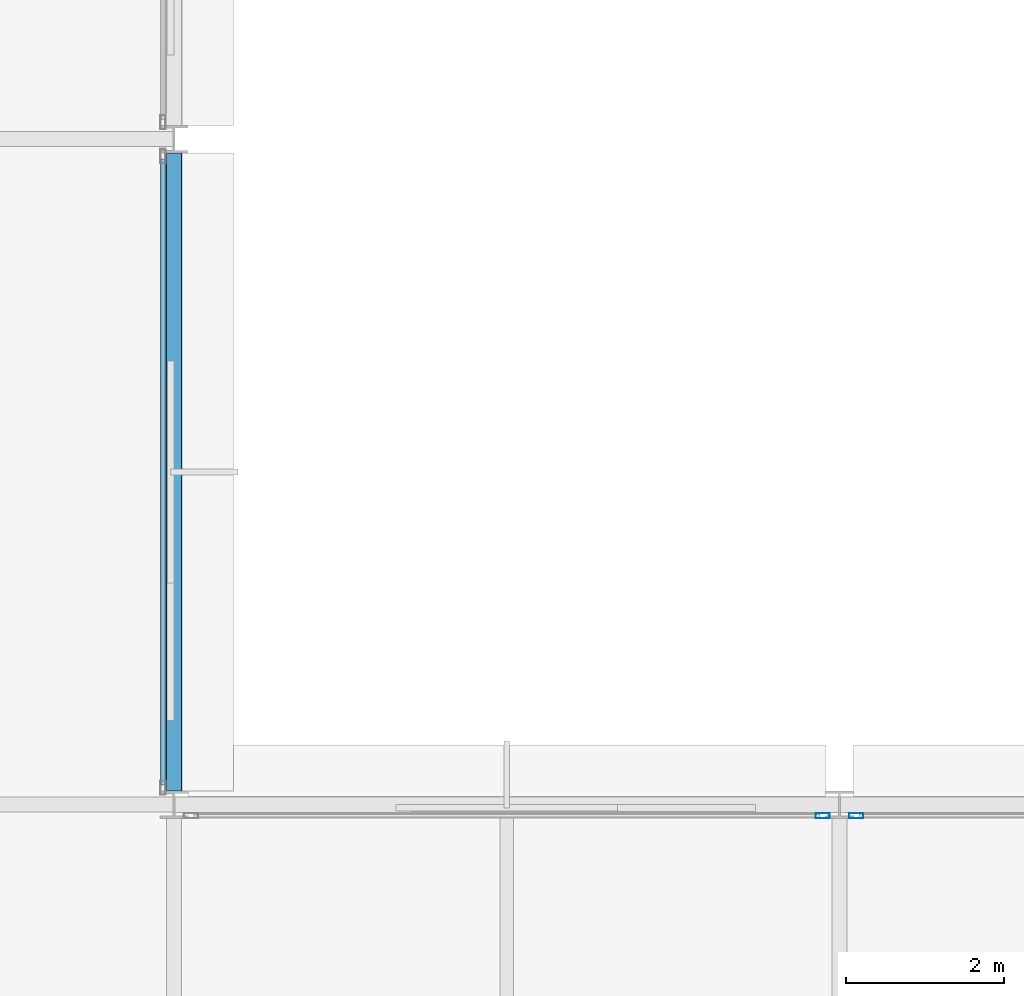
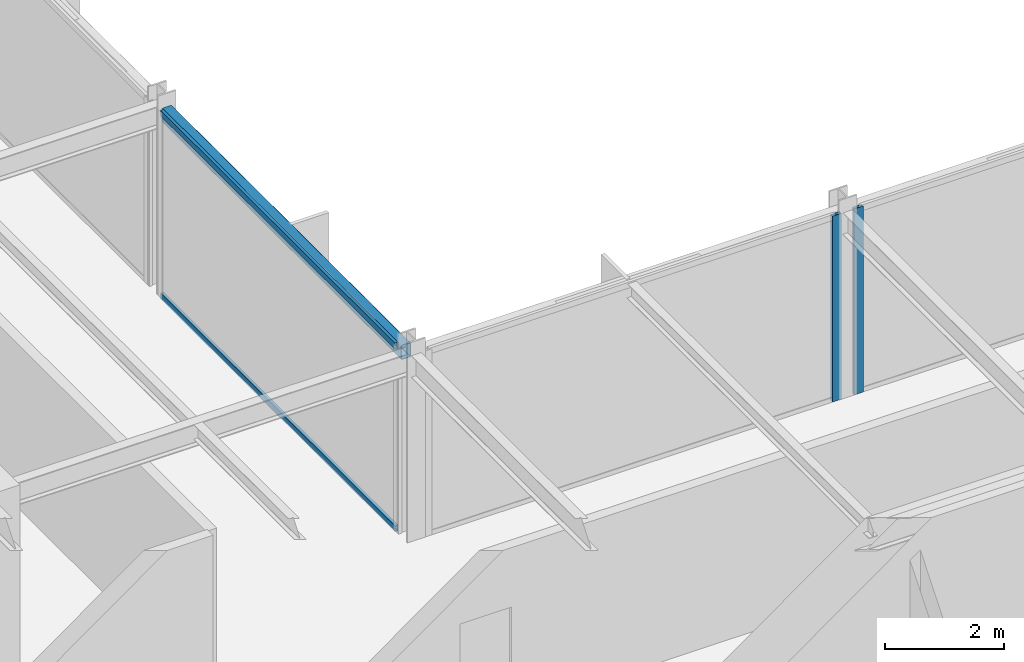
# One storey, part 15 of 30: 4 members, 1 beam, 3 elements without a shape of their own.
"""IFC4 building model written with IfcOpenShell, lengths in metres."""

from ifc_helpers import new_model, si_unit, direction, frame, origin, origin_2d, place, context, subcontext, project, spatial, hollow_rectangle, extrude, material, layer, layer_set, material_profile, profile_set, type_object, element, aggregate, save


model = new_model("IFC4")

# Units and contexts
model_context = context("Model", 3, precision=1e-05, world=origin(), true_north=direction((0.0, 1.0)))
body_context = subcontext(model_context, "Body", "Model", "MODEL_VIEW")
ifc_project = project(units=[si_unit("LENGTHUNIT", "METRE"), si_unit("AREAUNIT", "SQUARE_METRE"), si_unit("VOLUMEUNIT", "CUBIC_METRE"), si_unit("PLANEANGLEUNIT", "RADIAN"), si_unit("MASSUNIT", "GRAM", prefix="KILO")], contexts=[model_context])

# Site, building, storey
site_placement = place(None, origin())
site = spatial("IfcSite", under=ifc_project, at=site_placement, CompositionType="ELEMENT")
building_placement = place(site_placement, origin())
building = spatial("IfcBuilding", under=site, at=building_placement, Name="Nerrivon Quay Data Exchange", CompositionType="ELEMENT")
storey_placement = place(building_placement, frame((0.0, 0.0, 171.39990234375)))
storey = spatial("IfcBuildingStorey", under=building, at=storey_placement, Name="L40", CompositionType="ELEMENT", Elevation=171.39990234375)

# Beam
ifc_material_1 = material(Name="Steel Grade C350L0 (350 MPa)", Category="steel")
ifc_material_profile_1 = material_profile(ifc_material_1, hollow_rectangle(XDim=0.199951171875, YDim=0.300048828125, WallThickness=0.012451171875, InnerFilletRadius=0.018798828125, OuterFilletRadius=0.03125, at=origin_2d()), Name="300x200x12.5RHS")
ifc_profile_set_1 = profile_set([ifc_material_profile_1], Name="Steel Grade C350L0 (350 MPa)")
beam_type = type_object("IfcBeamType", Name="BM-SP3-300x200RHS", PredefinedType="SPANDREL", material=ifc_profile_set_1)
beam_placement = place(storey_placement, frame((25.199951171875, 25.375, 3.675048828125), z_axis=(0.0, 1.0, 0.0), x_axis=(-1.0, 0.0, 0.0)))
element("IfcBeam", 1, at=beam_placement, inside=storey, type_object=beam_type, Name="L40 NS Girder X=25.2 (25.2..33.6)", PredefinedType="SPANDREL", context=body_context, shape_type="SweptSolid", body=[
    extrude(hollow_rectangle(XDim=0.199951171875, YDim=0.300048828125, WallThickness=0.012451171875, InnerFilletRadius=0.018798828125, OuterFilletRadius=0.03125, at=origin_2d()), origin(), (0.0, 0.0, 1.0), 8.050048828125),
])

# Curtain wall, member
ifc_material_2 = material(Name="Anodised aluminium 6063-T6", Category="aluminium")
ifc_layer = layer(ifc_material_2, 0.195068359375)
ifc_layer_set = layer_set([ifc_layer], Name="Anodised aluminium 6063-T6")
curtain_wall_type = type_object("IfcCurtainWallType", Name="CW-SYS-06", PredefinedType="NOTDEFINED", material=ifc_layer_set)
curtain_wall_1_placement = place(storey_placement, origin())
curtain_wall_1 = element("IfcCurtainWall", 2, at=curtain_wall_1_placement, inside=storey, type_object=curtain_wall_type, Name="L40 Unitised Curtain Wall 16", PredefinedType="NOTDEFINED")
ifc_material_profile_2 = material_profile(ifc_material_2, hollow_rectangle(XDim=0.06494140625, YDim=0.179931640625, WallThickness=0.00341796875, at=origin_2d()), Name="ALU-MULL-180x65")
ifc_profile_set_2 = profile_set([ifc_material_profile_2], Name="Anodised aluminium 6063-T6")
member_type_1 = type_object("IfcMemberType", Name="CWM-180x65", PredefinedType="MULLION", material=ifc_profile_set_2)
member_1_placement = place(storey_placement, frame((33.387451171875, 25.06005859375, 0.0), z_axis=(0.0, 0.0, 1.0), x_axis=(0.0, 1.0, 0.0)))
member_1 = element("IfcMember", 3, at=member_1_placement, type_object=member_type_1, Name="CW06 mullion 2", PredefinedType="MULLION", context=body_context, shape_type="SweptSolid", body=[
    extrude(hollow_rectangle(XDim=0.06494140625, YDim=0.179931640625, WallThickness=0.00341796875, at=origin_2d()), origin(), (0.0, 0.0, 1.0), 3.8251953125),
])
aggregate(curtain_wall_1, [member_1])

curtain_wall_2_placement = place(storey_placement, origin())
curtain_wall_2 = element("IfcCurtainWall", 4, at=curtain_wall_2_placement, inside=storey, type_object=curtain_wall_type, Name="L40 Unitised Curtain Wall 17", PredefinedType="NOTDEFINED")
member_2_placement = place(storey_placement, frame((33.8125, 25.06005859375, 0.0), z_axis=(0.0, 0.0, 1.0), x_axis=(0.0, 1.0, 0.0)))
member_2 = element("IfcMember", 5, at=member_2_placement, type_object=member_type_1, Name="CW06 mullion 1", PredefinedType="MULLION", context=body_context, shape_type="SweptSolid", body=[
    extrude(hollow_rectangle(XDim=0.06494140625, YDim=0.179931640625, WallThickness=0.00341796875, at=origin_2d()), origin(), (0.0, 0.0, 1.0), 3.8251953125),
])
aggregate(curtain_wall_2, [member_2])

# Curtain wall, members
curtain_wall_3_placement = place(storey_placement, origin())
curtain_wall_3 = element("IfcCurtainWall", 6, at=curtain_wall_3_placement, inside=storey, type_object=curtain_wall_type, Name="L40 Unitised Curtain Wall 15", PredefinedType="NOTDEFINED")
ifc_material_profile_3 = material_profile(ifc_material_2, hollow_rectangle(XDim=0.06005859375, YDim=0.1201171875, WallThickness=0.003173828125, at=origin_2d()), Name="ALU-TRAN-120x60")
ifc_profile_set_3 = profile_set([ifc_material_profile_3], Name="Anodised aluminium 6063-T6")
member_type_2 = type_object("IfcMemberType", Name="CWT-120x60", PredefinedType="USERDEFINED", material=ifc_profile_set_3)
member_3_placement = place(storey_placement, frame((25.06005859375, 33.35009765625, 0.03271484375), z_axis=(0.0, -1.0, 0.0), x_axis=(1.0, 0.0, 0.0)))
member_3 = element("IfcMember", 7, at=member_3_placement, type_object=member_type_2, Name="CW06 transom 1.1", ObjectType="TRANSOM", PredefinedType="USERDEFINED", context=body_context, shape_type="SweptSolid", body=[
    extrude(hollow_rectangle(XDim=0.06005859375, YDim=0.1201171875, WallThickness=0.003173828125, at=origin_2d()), origin(), (0.0, 0.0, 1.0), 7.900146484375),
])
member_4_placement = place(storey_placement, frame((25.06005859375, 33.35009765625, 3.79248046875), z_axis=(0.0, -1.0, 0.0), x_axis=(1.0, 0.0, 0.0)))
member_4 = element("IfcMember", 8, at=member_4_placement, type_object=member_type_2, Name="CW06 transom 1.2", ObjectType="TRANSOM", PredefinedType="USERDEFINED", context=body_context, shape_type="SweptSolid", body=[
    extrude(hollow_rectangle(XDim=0.06005859375, YDim=0.1201171875, WallThickness=0.003173828125, at=origin_2d()), origin(), (0.0, 0.0, 1.0), 7.900146484375),
])
aggregate(curtain_wall_3, [member_3, member_4])

save(model, "model.ifc")
